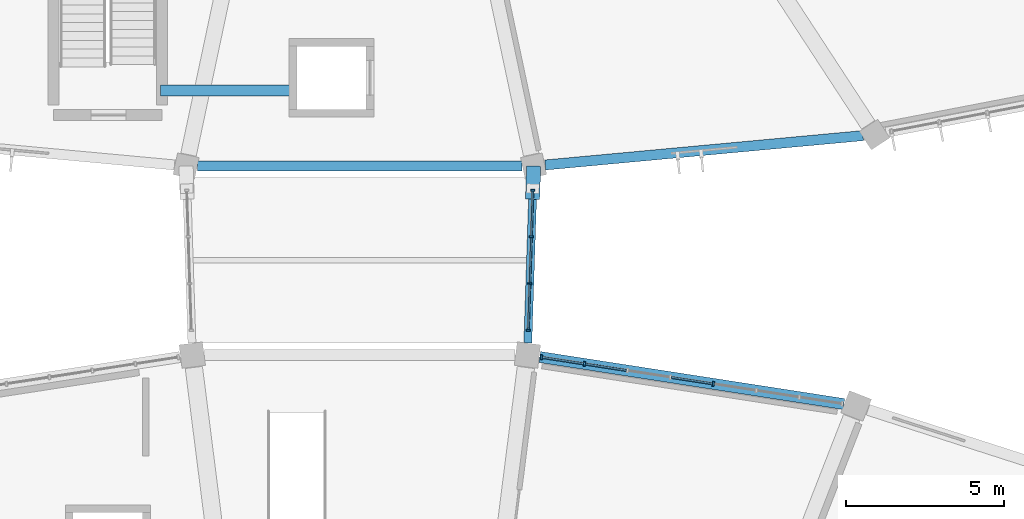
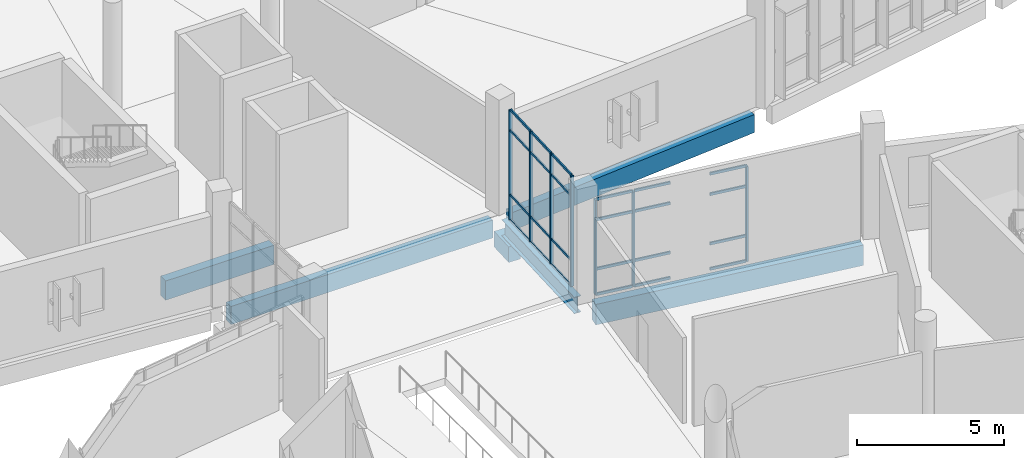
# One storey, part 31 of 179: 31 members, 6 beams, 2 elements without a shape of their own.
"""IFC4 building model written with IfcOpenShell, lengths in metres."""

import ifcopenshell
import ifcopenshell.guid

model = None  # the IFC model being written
_history = None  # IfcOwnerHistory: only IFC2X3 demands one
_inside = {}  # id of a spatial element -> (the spatial element, [elements in it])
_under = {}  # id of a project, library or spatial element -> (it, [spatial elements below it])
_declared = {}  # id of a project -> (the project, [libraries it declares])
_typed = {}  # id of a type object -> (the type object, [elements of that type])
_made_of = {}  # id of a material, layer set ... -> (it, [elements and type objects made of it])


def new_model(schema):
    """Start an empty IFC model of exactly this schema.

    Asked for "IFC4X3", IfcOpenShell would pick the latest addendum, in which some entities
    have other attributes; the version numbers below select the first issue.
    IFC2X3 requires an IfcOwnerHistory on every rooted entity: one is made here for all.
    """
    global model, _history
    if schema == "IFC4X3":
        model = ifcopenshell.file(schema_version=(4, 3, 0, 0))
    else:
        model = ifcopenshell.file(schema=schema)
    _inside.clear()
    _under.clear()
    _declared.clear()
    _typed.clear()
    _made_of.clear()
    _history = None
    if model.schema == "IFC2X3":
        org = make("IfcOrganization", Name="unknown")
        user = make(
            "IfcPersonAndOrganization",
            ThePerson=make("IfcPerson", FamilyName="unknown"),
            TheOrganization=org,
        )
        app = make(
            "IfcApplication",
            ApplicationDeveloper=org,
            Version="unknown",
            ApplicationFullName="unknown",
            ApplicationIdentifier="unknown",
        )
        _history = make(
            "IfcOwnerHistory",
            OwningUser=user,
            OwningApplication=app,
            ChangeAction="ADDED",
            CreationDate=0,
        )
    return model


def make(cls, **values):
    """One entity of the class cls with the attributes given. An attribute that is None is left unset."""
    return model.create_entity(
        cls, **{name: value for name, value in values.items() if value is not None}
    )


def rooted(cls, **values):
    """An entity with a GlobalId (a new one), such as an element, a storey or a relation."""
    return make(cls, GlobalId=ifcopenshell.guid.new(), OwnerHistory=_history, **values)


def si_unit(unit_type, name, prefix=None):
    """IfcSIUnit, for example si_unit("LENGTHUNIT", "METRE", prefix="MILLI")."""
    return make("IfcSIUnit", UnitType=unit_type, Prefix=prefix, Name=name)


def assignment(units):
    """IfcUnitAssignment: the units of a project."""
    return None if units is None else make("IfcUnitAssignment", Units=units)


def point(xyz):
    """IfcCartesianPoint."""
    return None if xyz is None else make("IfcCartesianPoint", Coordinates=xyz)


def direction(xyz):
    """IfcDirection."""
    return None if xyz is None else make("IfcDirection", DirectionRatios=xyz)


def frame(location, z_axis=None, x_axis=None):
    """IfcAxis2Placement3D, a coordinate frame: its origin and axes. An axis left out is left unset."""
    return make(
        "IfcAxis2Placement3D",
        Location=point(location),
        Axis=direction(z_axis),
        RefDirection=direction(x_axis),
    )


def frame_2d(location, x_axis=None):
    """IfcAxis2Placement2D, a coordinate frame in the plane: its origin and x axis."""
    return make(
        "IfcAxis2Placement2D", Location=point(location), RefDirection=direction(x_axis)
    )


def origin():
    """The frame at (0, 0, 0) with its axes left unset."""
    return frame((0.0, 0.0, 0.0))


def origin_2d():
    """The frame at (0, 0) in the plane with its x axis left unset."""
    return frame_2d((0.0, 0.0))


def place(relative_to, where):
    """IfcLocalPlacement: puts the frame where relative to a parent placement (None: the world)."""
    return make(
        "IfcLocalPlacement", PlacementRelTo=relative_to, RelativePlacement=where
    )


def context(
    kind, dimensions, precision=None, world=None, true_north=None, identifier=None
):
    """IfcGeometricRepresentationContext, for example the 3D "Model" context."""
    return make(
        "IfcGeometricRepresentationContext",
        ContextIdentifier=identifier,
        ContextType=kind,
        CoordinateSpaceDimension=dimensions,
        Precision=precision,
        WorldCoordinateSystem=world,
        TrueNorth=true_north,
    )


def subcontext(parent, identifier, kind, view, scale=None):
    """IfcGeometricRepresentationSubContext, for example "Body" below "Model"."""
    return make(
        "IfcGeometricRepresentationSubContext",
        ContextIdentifier=identifier,
        ContextType=kind,
        ParentContext=parent,
        TargetScale=scale,
        TargetView=view,
    )


def project(units=None, contexts=None):
    """IfcProject with its units and contexts."""
    return rooted(
        "IfcProject",
        Name="project",
        RepresentationContexts=contexts,
        UnitsInContext=assignment(units),
    )


def spatial(cls, under=None, at=None, **own):
    """A site, building, storey or space (cls), placed at a placement, below another one or the project."""
    s = rooted(cls, ObjectPlacement=at, **own)
    if under is not None:
        _under.setdefault(under.id(), (under, []))[1].append(s)
    return s


def profile(cls, at=None, kind="AREA", **sizes):
    """A parametric profile (cls). Its sizes go by their IFC names, for example OverallWidth=200.0."""
    return make(cls, ProfileType=kind, Position=at, **sizes)


def rectangle(**sizes):
    """IfcRectangleProfileDef."""
    return profile("IfcRectangleProfileDef", **sizes)


def i_section(**sizes):
    """IfcIShapeProfileDef."""
    return profile("IfcIShapeProfileDef", **sizes)


def extrude(swept, where, along, depth):
    """IfcExtrudedAreaSolid: the profile swept, set in the frame where, extruded along a direction by depth."""
    return make(
        "IfcExtrudedAreaSolid",
        SweptArea=swept,
        Position=where,
        ExtrudedDirection=direction(along),
        Depth=depth,
    )


def shape(context_of_items, identifier, shape_type, items):
    """IfcShapeRepresentation: the items that make up one representation, for example the "Body"."""
    return make(
        "IfcShapeRepresentation",
        ContextOfItems=context_of_items,
        RepresentationIdentifier=identifier,
        RepresentationType=shape_type,
        Items=items,
    )


def material(Name=None, Category=None):
    """IfcMaterial."""
    return make("IfcMaterial", Name=Name, Category=Category)


def layer(
    of_material, thickness, ventilated=None, Name=None, Category=None, Priority=None
):
    """IfcMaterialLayer: one layer of a wall or slab, of a material (None: an air gap)."""
    return make(
        "IfcMaterialLayer",
        Material=of_material,
        LayerThickness=thickness,
        IsVentilated=ventilated,
        Name=Name,
        Category=Category,
        Priority=Priority,
    )


def layer_set(layers, Name=None):
    """IfcMaterialLayerSet."""
    return make("IfcMaterialLayerSet", MaterialLayers=layers, LayerSetName=Name)


def material_profile(
    of_material, cross_section, Name=None, Category=None, Priority=None
):
    """IfcMaterialProfile: a cross section and its material."""
    return make(
        "IfcMaterialProfile",
        Name=Name,
        Material=of_material,
        Profile=cross_section,
        Priority=Priority,
        Category=Category,
    )


def profile_set(profiles, Name=None, composite=None):
    """IfcMaterialProfileSet."""
    return make(
        "IfcMaterialProfileSet",
        Name=Name,
        MaterialProfiles=profiles,
        CompositeProfile=composite,
    )


def made_of(thing, what):
    """Note that an element or type object is made of a material, layer set ...; save() writes the relation."""
    if what is not None:
        _made_of.setdefault(what.id(), (what, []))[1].append(thing)
    return thing


def type_object(cls, material=None, **own):
    """A type object (cls), such as IfcWallType, which elements share."""
    return made_of(rooted(cls, **own), material)


def element(
    cls,
    number,
    at=None,
    inside=None,
    cuts=None,
    type_object=None,
    material=None,
    context=None,
    identifier="Body",
    shape_type=None,
    held_by="IfcProductDefinitionShape",
    body=None,
    shapes=None,
    **own,
):
    """One element of the class cls, such as IfcWall. Its Tag is "e" and its number.

    at: its placement. inside: the storey or other place that contains it. cuts: it is an
    opening in that element (IfcRelVoidsElement). A single representation is given by context,
    identifier, shape_type and body (its items); several are given by shapes. held_by: the class
    of the entity that holds the representations. save() writes the other relations.
    """
    e = rooted(cls, Tag="e%d" % number, ObjectPlacement=at, **own)
    if body is not None:
        shapes = [shape(context, identifier, shape_type, body)]
    if shapes is not None:
        e.Representation = make(held_by, Representations=shapes)
    if inside is not None:
        _inside.setdefault(inside.id(), (inside, []))[1].append(e)
    if cuts is not None:
        rooted(
            "IfcRelVoidsElement", RelatingBuildingElement=cuts, RelatedOpeningElement=e
        )
    if type_object is not None:
        _typed.setdefault(type_object.id(), (type_object, []))[1].append(e)
    return made_of(e, material)


def aggregate(whole, parts):
    """IfcRelAggregates: a whole, such as a stair, and the parts it consists of."""
    return rooted("IfcRelAggregates", RelatingObject=whole, RelatedObjects=parts)


def save(model, path):
    """Write the relations noted so far, then the file.

    IfcRelAggregates (storeys below a building ...), IfcRelContainedInSpatialStructure (elements
    in a storey), IfcRelDefinesByType, IfcRelAssociatesMaterial and IfcRelDeclares: one each for
    every whole, place, type object, material and project.
    """
    for whole, parts in _under.values():
        aggregate(whole, parts)
    for where, things in _inside.values():
        rooted(
            "IfcRelContainedInSpatialStructure",
            RelatedElements=things,
            RelatingStructure=where,
        )
    for kind, things in _typed.values():
        rooted("IfcRelDefinesByType", RelatedObjects=things, RelatingType=kind)
    for what, things in _made_of.values():
        rooted("IfcRelAssociatesMaterial", RelatedObjects=things, RelatingMaterial=what)
    for by, libraries in _declared.values():
        rooted("IfcRelDeclares", RelatingContext=by, RelatedDefinitions=libraries)
    model.write(path)


model = new_model("IFC4")

# Units and contexts
model_context = context("Model", 3, precision=1e-05, world=origin(), true_north=direction((0.0, 1.0)))
body_context = subcontext(model_context, "Body", "Model", "MODEL_VIEW")
ifc_project = project(units=[si_unit("LENGTHUNIT", "METRE"), si_unit("AREAUNIT", "SQUARE_METRE"), si_unit("VOLUMEUNIT", "CUBIC_METRE"), si_unit("PLANEANGLEUNIT", "RADIAN"), si_unit("MASSUNIT", "GRAM", prefix="KILO")], contexts=[model_context])

# Site, building, storey
site_placement = place(None, origin())
site = spatial("IfcSite", under=ifc_project, at=site_placement, CompositionType="ELEMENT")
building_placement = place(site_placement, origin())
building = spatial("IfcBuilding", under=site, at=building_placement, Name="Corvandel Quay Wholesale Market", CompositionType="ELEMENT")
storey_placement = place(building_placement, frame((0.0, 0.0, 6.0)))
storey = spatial("IfcBuildingStorey", under=building, at=storey_placement, Name="L01", CompositionType="ELEMENT", Elevation=6.0)

# Beam
ifc_material_1 = material(Name="Steel A992 Grade 50", Category="steel")
ifc_material_profile_1 = material_profile(ifc_material_1, i_section(OverallWidth=0.25390625, OverallDepth=0.68310546875, WebThickness=0.012451171875, FlangeThickness=0.018798828125, at=origin_2d()), Name="W27X94")
ifc_profile_set_1 = profile_set([ifc_material_profile_1], Name="Steel A992 Grade 50")
beam_type_1 = type_object("IfcBeamType", Name="Bridge Link Steel Girder SG01 W27X94", PredefinedType="USERDEFINED", material=ifc_profile_set_1)
beam_1_placement = place(storey_placement, frame((119.331787109375, 84.389892578125, -0.5615234375), z_axis=(0.032795939413, 0.999462068494, 0.0), x_axis=(-0.999462068494, 0.032795939413, 0.0)))
element("IfcBeam", 1, at=beam_1_placement, inside=storey, type_object=beam_type_1, Name="Beam BM-1764", ObjectType="GIRDER", PredefinedType="USERDEFINED", context=body_context, shape_type="SweptSolid", body=[
    extrude(i_section(OverallWidth=0.25390625, OverallDepth=0.68310546875, WebThickness=0.012451171875, FlangeThickness=0.018798828125, at=origin_2d()), origin(), (0.0, 0.0, 1.0), 5.248291015625),
])

# Curtain wall, members
ifc_material_2 = material(Name="Bronze anodised aluminium and low-E insulated glazing", Category="aluminium")
ifc_layer_1 = layer(ifc_material_2, 0.174072265625)
ifc_layer_set_1 = layer_set([ifc_layer_1], Name="Bronze anodised aluminium and low-E insulated glazing")
curtain_wall_type_1 = type_object("IfcCurtainWallType", Name="Stick Curtain Wall System CW22 H4980", PredefinedType="NOTDEFINED", material=ifc_layer_set_1)
curtain_wall_1_placement = place(storey_placement, origin())
curtain_wall_1 = element("IfcCurtainWall", 2, at=curtain_wall_1_placement, inside=storey, type_object=curtain_wall_type_1, Name="Curtain Wall CW-0169", PredefinedType="NOTDEFINED")
ifc_material_3 = material(Name="Anodised aluminium 6063-T6", Category="aluminium")
ifc_material_profile_2 = material_profile(ifc_material_3, rectangle(XDim=0.06005859375, YDim=0.1298828125, at=origin_2d()), Name="ALU-MUL-60x130")
ifc_profile_set_2 = profile_set([ifc_material_profile_2], Name="Anodised aluminium 6063-T6")
member_type_1 = type_object("IfcMemberType", Name="Clerestory Mullion ML03 60x130", PredefinedType="MULLION", material=ifc_profile_set_2)
member_1_placement = place(storey_placement, frame((119.344970703125, 84.78955078125, -0.030029296875), z_axis=(0.0, 0.0, 1.0), x_axis=(0.032806302436, 0.999461728392, 0.0)))
member_1 = element("IfcMember", 3, at=member_1_placement, type_object=member_type_1, Name="Mullion CW-0169-M00", PredefinedType="MULLION", context=body_context, shape_type="SweptSolid", body=[
    extrude(rectangle(XDim=0.06005859375, YDim=0.1298828125, at=origin_2d()), origin(), (0.0, 0.0, 1.0), 4.580078125),
])
member_2_placement = place(storey_placement, frame((119.3935546875, 86.271484375, -0.030029296875), z_axis=(0.0, 0.0, 1.0), x_axis=(0.032806302436, 0.999461728392, 0.0)))
member_2 = element("IfcMember", 4, at=member_2_placement, type_object=member_type_1, Name="Mullion CW-0169-M01", PredefinedType="MULLION", context=body_context, shape_type="SweptSolid", body=[
    extrude(rectangle(XDim=0.06005859375, YDim=0.1298828125, at=origin_2d()), origin(), (0.0, 0.0, 1.0), 4.580078125),
])
member_3_placement = place(storey_placement, frame((119.442138671875, 87.75341796875, -0.030029296875), z_axis=(0.0, 0.0, 1.0), x_axis=(0.032806302436, 0.999461728392, 0.0)))
member_3 = element("IfcMember", 5, at=member_3_placement, type_object=member_type_1, Name="Mullion CW-0169-M02", PredefinedType="MULLION", context=body_context, shape_type="SweptSolid", body=[
    extrude(rectangle(XDim=0.06005859375, YDim=0.1298828125, at=origin_2d()), origin(), (0.0, 0.0, 1.0), 4.580078125),
])
member_4_placement = place(storey_placement, frame((119.490966796875, 89.2353515625, -0.030029296875), z_axis=(0.0, 0.0, 1.0), x_axis=(0.032806302436, 0.999461728392, 0.0)))
member_4 = element("IfcMember", 6, at=member_4_placement, type_object=member_type_1, Name="Mullion CW-0169-M03", PredefinedType="MULLION", context=body_context, shape_type="SweptSolid", body=[
    extrude(rectangle(XDim=0.06005859375, YDim=0.1298828125, at=origin_2d()), origin(), (0.0, 0.0, 1.0), 4.580078125),
])
ifc_material_profile_3 = material_profile(ifc_material_3, rectangle(XDim=0.054931640625, YDim=0.094970703125, at=origin_2d()), Name="ALU-TRN-55x95")
ifc_profile_set_3 = profile_set([ifc_material_profile_3], Name="Anodised aluminium 6063-T6")
member_type_2 = type_object("IfcMemberType", Name="Clerestory Transom TR03 55x95", PredefinedType="USERDEFINED", material=ifc_profile_set_3)
member_5_placement = place(storey_placement, frame((119.345947265625, 84.819580078125, -0.030029296875), z_axis=(0.032777707644, 0.999462666577, 0.0), x_axis=(-0.999462666577, 0.032777707644, 0.0)))
member_5 = element("IfcMember", 7, at=member_5_placement, type_object=member_type_2, Name="Transom CW-0169-T00-0", ObjectType="TRANSOM", PredefinedType="USERDEFINED", context=body_context, shape_type="SweptSolid", body=[
    extrude(rectangle(XDim=0.054931640625, YDim=0.094970703125, at=origin_2d()), origin(), (0.0, 0.0, 1.0), 1.422607421875),
])
member_6_placement = place(storey_placement, frame((119.345947265625, 84.819580078125, 1.02001953125), z_axis=(0.032777707644, 0.999462666577, 0.0), x_axis=(-0.999462666577, 0.032777707644, 0.0)))
member_6 = element("IfcMember", 8, at=member_6_placement, type_object=member_type_2, Name="Transom CW-0169-T00-1", ObjectType="TRANSOM", PredefinedType="USERDEFINED", context=body_context, shape_type="SweptSolid", body=[
    extrude(rectangle(XDim=0.054931640625, YDim=0.094970703125, at=origin_2d()), origin(), (0.0, 0.0, 1.0), 1.422607421875),
])
member_7_placement = place(storey_placement, frame((119.345947265625, 84.819580078125, 3.699951171875), z_axis=(0.032777707644, 0.999462666577, 0.0), x_axis=(-0.999462666577, 0.032777707644, 0.0)))
member_7 = element("IfcMember", 9, at=member_7_placement, type_object=member_type_2, Name="Transom CW-0169-T00-2", ObjectType="TRANSOM", PredefinedType="USERDEFINED", context=body_context, shape_type="SweptSolid", body=[
    extrude(rectangle(XDim=0.054931640625, YDim=0.094970703125, at=origin_2d()), origin(), (0.0, 0.0, 1.0), 1.422607421875),
])
member_8_placement = place(storey_placement, frame((119.345947265625, 84.819580078125, 4.550048828125), z_axis=(0.032777707644, 0.999462666577, 0.0), x_axis=(-0.999462666577, 0.032777707644, 0.0)))
member_8 = element("IfcMember", 10, at=member_8_placement, type_object=member_type_2, Name="Transom CW-0169-T00-3", ObjectType="TRANSOM", PredefinedType="USERDEFINED", context=body_context, shape_type="SweptSolid", body=[
    extrude(rectangle(XDim=0.054931640625, YDim=0.094970703125, at=origin_2d()), origin(), (0.0, 0.0, 1.0), 1.422607421875),
])
member_9_placement = place(storey_placement, frame((119.39453125, 86.301513671875, -0.030029296875), z_axis=(0.032777707644, 0.999462666577, 0.0), x_axis=(-0.999462666577, 0.032777707644, 0.0)))
member_9 = element("IfcMember", 11, at=member_9_placement, type_object=member_type_2, Name="Transom CW-0169-T01-0", ObjectType="TRANSOM", PredefinedType="USERDEFINED", context=body_context, shape_type="SweptSolid", body=[
    extrude(rectangle(XDim=0.054931640625, YDim=0.094970703125, at=origin_2d()), origin(), (0.0, 0.0, 1.0), 1.422607421875),
])
member_10_placement = place(storey_placement, frame((119.39453125, 86.301513671875, 1.02001953125), z_axis=(0.032777707644, 0.999462666577, 0.0), x_axis=(-0.999462666577, 0.032777707644, 0.0)))
member_10 = element("IfcMember", 12, at=member_10_placement, type_object=member_type_2, Name="Transom CW-0169-T01-1", ObjectType="TRANSOM", PredefinedType="USERDEFINED", context=body_context, shape_type="SweptSolid", body=[
    extrude(rectangle(XDim=0.054931640625, YDim=0.094970703125, at=origin_2d()), origin(), (0.0, 0.0, 1.0), 1.422607421875),
])
member_11_placement = place(storey_placement, frame((119.39453125, 86.301513671875, 3.699951171875), z_axis=(0.032777707644, 0.999462666577, 0.0), x_axis=(-0.999462666577, 0.032777707644, 0.0)))
member_11 = element("IfcMember", 13, at=member_11_placement, type_object=member_type_2, Name="Transom CW-0169-T01-2", ObjectType="TRANSOM", PredefinedType="USERDEFINED", context=body_context, shape_type="SweptSolid", body=[
    extrude(rectangle(XDim=0.054931640625, YDim=0.094970703125, at=origin_2d()), origin(), (0.0, 0.0, 1.0), 1.422607421875),
])
member_12_placement = place(storey_placement, frame((119.39453125, 86.301513671875, 4.550048828125), z_axis=(0.032777707644, 0.999462666577, 0.0), x_axis=(-0.999462666577, 0.032777707644, 0.0)))
member_12 = element("IfcMember", 14, at=member_12_placement, type_object=member_type_2, Name="Transom CW-0169-T01-3", ObjectType="TRANSOM", PredefinedType="USERDEFINED", context=body_context, shape_type="SweptSolid", body=[
    extrude(rectangle(XDim=0.054931640625, YDim=0.094970703125, at=origin_2d()), origin(), (0.0, 0.0, 1.0), 1.422607421875),
])
member_13_placement = place(storey_placement, frame((119.443115234375, 87.783447265625, -0.030029296875), z_axis=(0.032949132854, 0.999457029914, 0.0), x_axis=(-0.999457029914, 0.032949132854, 0.0)))
member_13 = element("IfcMember", 15, at=member_13_placement, type_object=member_type_2, Name="Transom CW-0169-T02-0", ObjectType="TRANSOM", PredefinedType="USERDEFINED", context=body_context, shape_type="SweptSolid", body=[
    extrude(rectangle(XDim=0.054931640625, YDim=0.094970703125, at=origin_2d()), origin(), (0.0, 0.0, 1.0), 1.422607421875),
])
member_14_placement = place(storey_placement, frame((119.443115234375, 87.783447265625, 1.02001953125), z_axis=(0.032949132854, 0.999457029914, 0.0), x_axis=(-0.999457029914, 0.032949132854, 0.0)))
member_14 = element("IfcMember", 16, at=member_14_placement, type_object=member_type_2, Name="Transom CW-0169-T02-1", ObjectType="TRANSOM", PredefinedType="USERDEFINED", context=body_context, shape_type="SweptSolid", body=[
    extrude(rectangle(XDim=0.054931640625, YDim=0.094970703125, at=origin_2d()), origin(), (0.0, 0.0, 1.0), 1.422607421875),
])
member_15_placement = place(storey_placement, frame((119.443115234375, 87.783447265625, 3.699951171875), z_axis=(0.032949132854, 0.999457029914, 0.0), x_axis=(-0.999457029914, 0.032949132854, 0.0)))
member_15 = element("IfcMember", 17, at=member_15_placement, type_object=member_type_2, Name="Transom CW-0169-T02-2", ObjectType="TRANSOM", PredefinedType="USERDEFINED", context=body_context, shape_type="SweptSolid", body=[
    extrude(rectangle(XDim=0.054931640625, YDim=0.094970703125, at=origin_2d()), origin(), (0.0, 0.0, 1.0), 1.422607421875),
])
member_16_placement = place(storey_placement, frame((119.443115234375, 87.783447265625, 4.550048828125), z_axis=(0.032949132854, 0.999457029914, 0.0), x_axis=(-0.999457029914, 0.032949132854, 0.0)))
member_16 = element("IfcMember", 18, at=member_16_placement, type_object=member_type_2, Name="Transom CW-0169-T02-3", ObjectType="TRANSOM", PredefinedType="USERDEFINED", context=body_context, shape_type="SweptSolid", body=[
    extrude(rectangle(XDim=0.054931640625, YDim=0.094970703125, at=origin_2d()), origin(), (0.0, 0.0, 1.0), 1.422607421875),
])
aggregate(curtain_wall_1, [member_1, member_2, member_3, member_4, member_5, member_6, member_7, member_8, member_9, member_10, member_11, member_12, member_13, member_14, member_15, member_16])

# Beam
ifc_material_4 = material(Name="Concrete C40/50", Category="concrete")
ifc_material_profile_4 = material_profile(ifc_material_4, rectangle(XDim=0.35009765625, YDim=0.800048828125, at=origin_2d()), Name="RC-CPL-350x800")
ifc_profile_set_4 = profile_set([ifc_material_profile_4], Name="Concrete C40/50")
beam_type_2 = type_object("IfcBeamType", Name="Core Shear Wall Coupling Beam CP01 350x800", PredefinedType="BEAM", material=ifc_profile_set_4)
beam_2_placement = place(storey_placement, frame((107.675048828125, 92.39990234375, -0.64990234375), z_axis=(1.0, 0.0, 0.0), x_axis=(0.0, 1.0, 0.0)))
element("IfcBeam", 19, at=beam_2_placement, inside=storey, type_object=beam_type_2, Name="Core Coupling Beam K2-L01", PredefinedType="BEAM", context=body_context, shape_type="SweptSolid", body=[
    extrude(rectangle(XDim=0.35009765625, YDim=0.800048828125, at=origin_2d()), origin(), (0.0, 0.0, 1.0), 4.25),
])

# Curtain wall, members
ifc_layer_2 = layer(ifc_material_2, 0.162109375)
ifc_layer_set_2 = layer_set([ifc_layer_2], Name="Bronze anodised aluminium and low-E insulated glazing")
curtain_wall_type_2 = type_object("IfcCurtainWallType", Name="Stick Curtain Wall System CW11 H3990", PredefinedType="NOTDEFINED", material=ifc_layer_set_2)
curtain_wall_2_placement = place(storey_placement, origin())
curtain_wall_2 = element("IfcCurtainWall", 20, at=curtain_wall_2_placement, inside=storey, type_object=curtain_wall_type_2, Name="Curtain Wall CW-0018", PredefinedType="NOTDEFINED")
ifc_material_profile_5 = material_profile(ifc_material_3, rectangle(XDim=0.06494140625, YDim=0.14990234375, at=origin_2d()), Name="ALU-MUL-65x150")
ifc_profile_set_5 = profile_set([ifc_material_profile_5], Name="Anodised aluminium 6063-T6")
member_type_3 = type_object("IfcMemberType", Name="Curtain Wall Mullion ML02 65x150", PredefinedType="MULLION", material=ifc_profile_set_5)
member_17_placement = place(storey_placement, frame((125.216552734375, 83.08740234375, 0.0), z_axis=(0.0, 0.0, 1.0), x_axis=(-0.98825506746, 0.152813355565, 0.0)))
member_17 = element("IfcMember", 21, at=member_17_placement, type_object=member_type_3, Name="Mullion CW-0018-M03", PredefinedType="MULLION", context=body_context, shape_type="SweptSolid", body=[
    extrude(rectangle(XDim=0.06494140625, YDim=0.14990234375, at=origin_2d()), origin(), (0.0, 0.0, 1.0), 3.949951171875),
])
member_18_placement = place(storey_placement, frame((121.126953125, 83.72021484375, 0.0), z_axis=(0.0, 0.0, 1.0), x_axis=(-0.98825506746, 0.152813355565, 0.0)))
member_18 = element("IfcMember", 22, at=member_18_placement, type_object=member_type_3, Name="Mullion CW-0018-M06", PredefinedType="MULLION", context=body_context, shape_type="SweptSolid", body=[
    extrude(rectangle(XDim=0.06494140625, YDim=0.14990234375, at=origin_2d()), origin(), (0.0, 0.0, 1.0), 3.949951171875),
])
member_19_placement = place(storey_placement, frame((119.763671875, 83.93115234375, 0.0), z_axis=(0.0, 0.0, 1.0), x_axis=(-0.98825506746, 0.152813355565, 0.0)))
member_19 = element("IfcMember", 23, at=member_19_placement, type_object=member_type_3, Name="Mullion CW-0018-M07", PredefinedType="MULLION", context=body_context, shape_type="SweptSolid", body=[
    extrude(rectangle(XDim=0.06494140625, YDim=0.14990234375, at=origin_2d()), origin(), (0.0, 0.0, 1.0), 3.949951171875),
])
ifc_material_profile_6 = material_profile(ifc_material_3, rectangle(XDim=0.06005859375, YDim=0.110107421875, at=origin_2d()), Name="ALU-TRN-60x110")
ifc_profile_set_6 = profile_set([ifc_material_profile_6], Name="Anodised aluminium 6063-T6")
member_type_4 = type_object("IfcMemberType", Name="Curtain Wall Transom TR02 60x110", PredefinedType="USERDEFINED", material=ifc_profile_set_6)
member_20_placement = place(storey_placement, frame((125.1845703125, 83.092529296875, 0.0), z_axis=(-0.988248991474, 0.152852644237, 0.0), x_axis=(-0.152852644237, -0.988248991474, 0.0)))
member_20 = element("IfcMember", 24, at=member_20_placement, type_object=member_type_4, Name="Transom CW-0018-T03-0", ObjectType="TRANSOM", PredefinedType="USERDEFINED", context=body_context, shape_type="SweptSolid", body=[
    extrude(rectangle(XDim=0.06005859375, YDim=0.110107421875, at=origin_2d()), origin(), (0.0, 0.0, 1.0), 1.314453125),
])
member_21_placement = place(storey_placement, frame((125.1845703125, 83.092529296875, 1.050048828125), z_axis=(-0.988248991474, 0.152852644237, 0.0), x_axis=(-0.152852644237, -0.988248991474, 0.0)))
member_21 = element("IfcMember", 25, at=member_21_placement, type_object=member_type_4, Name="Transom CW-0018-T03-1", ObjectType="TRANSOM", PredefinedType="USERDEFINED", context=body_context, shape_type="SweptSolid", body=[
    extrude(rectangle(XDim=0.06005859375, YDim=0.110107421875, at=origin_2d()), origin(), (0.0, 0.0, 1.0), 1.314453125),
])
member_22_placement = place(storey_placement, frame((125.1845703125, 83.092529296875, 3.10009765625), z_axis=(-0.988248991474, 0.152852644237, 0.0), x_axis=(-0.152852644237, -0.988248991474, 0.0)))
member_22 = element("IfcMember", 26, at=member_22_placement, type_object=member_type_4, Name="Transom CW-0018-T03-2", ObjectType="TRANSOM", PredefinedType="USERDEFINED", context=body_context, shape_type="SweptSolid", body=[
    extrude(rectangle(XDim=0.06005859375, YDim=0.110107421875, at=origin_2d()), origin(), (0.0, 0.0, 1.0), 1.314453125),
])
member_23_placement = place(storey_placement, frame((125.1845703125, 83.092529296875, 3.949951171875), z_axis=(-0.988248991474, 0.152852644237, 0.0), x_axis=(-0.152852644237, -0.988248991474, 0.0)))
member_23 = element("IfcMember", 27, at=member_23_placement, type_object=member_type_4, Name="Transom CW-0018-T03-3", ObjectType="TRANSOM", PredefinedType="USERDEFINED", context=body_context, shape_type="SweptSolid", body=[
    extrude(rectangle(XDim=0.06005859375, YDim=0.110107421875, at=origin_2d()), origin(), (0.0, 0.0, 1.0), 1.314453125),
])
member_24_placement = place(storey_placement, frame((122.4580078125, 83.514404296875, 0.0), z_axis=(-0.988248991474, 0.152852644237, 0.0), x_axis=(-0.152852644237, -0.988248991474, 0.0)))
member_24 = element("IfcMember", 28, at=member_24_placement, type_object=member_type_4, Name="Transom CW-0018-T05-0", ObjectType="TRANSOM", PredefinedType="USERDEFINED", context=body_context, shape_type="SweptSolid", body=[
    extrude(rectangle(XDim=0.06005859375, YDim=0.110107421875, at=origin_2d()), origin(), (0.0, 0.0, 1.0), 1.314453125),
])
member_25_placement = place(storey_placement, frame((122.4580078125, 83.514404296875, 1.050048828125), z_axis=(-0.988248991474, 0.152852644237, 0.0), x_axis=(-0.152852644237, -0.988248991474, 0.0)))
member_25 = element("IfcMember", 29, at=member_25_placement, type_object=member_type_4, Name="Transom CW-0018-T05-1", ObjectType="TRANSOM", PredefinedType="USERDEFINED", context=body_context, shape_type="SweptSolid", body=[
    extrude(rectangle(XDim=0.06005859375, YDim=0.110107421875, at=origin_2d()), origin(), (0.0, 0.0, 1.0), 1.314453125),
])
member_26_placement = place(storey_placement, frame((122.4580078125, 83.514404296875, 3.10009765625), z_axis=(-0.988248991474, 0.152852644237, 0.0), x_axis=(-0.152852644237, -0.988248991474, 0.0)))
member_26 = element("IfcMember", 30, at=member_26_placement, type_object=member_type_4, Name="Transom CW-0018-T05-2", ObjectType="TRANSOM", PredefinedType="USERDEFINED", context=body_context, shape_type="SweptSolid", body=[
    extrude(rectangle(XDim=0.06005859375, YDim=0.110107421875, at=origin_2d()), origin(), (0.0, 0.0, 1.0), 1.314453125),
])
member_27_placement = place(storey_placement, frame((122.4580078125, 83.514404296875, 3.949951171875), z_axis=(-0.988248991474, 0.152852644237, 0.0), x_axis=(-0.152852644237, -0.988248991474, 0.0)))
member_27 = element("IfcMember", 31, at=member_27_placement, type_object=member_type_4, Name="Transom CW-0018-T05-3", ObjectType="TRANSOM", PredefinedType="USERDEFINED", context=body_context, shape_type="SweptSolid", body=[
    extrude(rectangle(XDim=0.06005859375, YDim=0.110107421875, at=origin_2d()), origin(), (0.0, 0.0, 1.0), 1.314453125),
])
member_28_placement = place(storey_placement, frame((121.0947265625, 83.725341796875, 0.0), z_axis=(-0.988244650986, 0.152880704466, 0.0), x_axis=(-0.152880704466, -0.988244650986, 0.0)))
member_28 = element("IfcMember", 32, at=member_28_placement, type_object=member_type_4, Name="Transom CW-0018-T06-0", ObjectType="TRANSOM", PredefinedType="USERDEFINED", context=body_context, shape_type="SweptSolid", body=[
    extrude(rectangle(XDim=0.06005859375, YDim=0.110107421875, at=origin_2d()), origin(), (0.0, 0.0, 1.0), 1.314208984375),
])
member_29_placement = place(storey_placement, frame((121.0947265625, 83.725341796875, 1.050048828125), z_axis=(-0.988244650986, 0.152880704466, 0.0), x_axis=(-0.152880704466, -0.988244650986, 0.0)))
member_29 = element("IfcMember", 33, at=member_29_placement, type_object=member_type_4, Name="Transom CW-0018-T06-1", ObjectType="TRANSOM", PredefinedType="USERDEFINED", context=body_context, shape_type="SweptSolid", body=[
    extrude(rectangle(XDim=0.06005859375, YDim=0.110107421875, at=origin_2d()), origin(), (0.0, 0.0, 1.0), 1.314208984375),
])
member_30_placement = place(storey_placement, frame((121.0947265625, 83.725341796875, 3.10009765625), z_axis=(-0.988244650986, 0.152880704466, 0.0), x_axis=(-0.152880704466, -0.988244650986, 0.0)))
member_30 = element("IfcMember", 34, at=member_30_placement, type_object=member_type_4, Name="Transom CW-0018-T06-2", ObjectType="TRANSOM", PredefinedType="USERDEFINED", context=body_context, shape_type="SweptSolid", body=[
    extrude(rectangle(XDim=0.06005859375, YDim=0.110107421875, at=origin_2d()), origin(), (0.0, 0.0, 1.0), 1.314208984375),
])
member_31_placement = place(storey_placement, frame((121.0947265625, 83.725341796875, 3.949951171875), z_axis=(-0.988244650986, 0.152880704466, 0.0), x_axis=(-0.152880704466, -0.988244650986, 0.0)))
member_31 = element("IfcMember", 35, at=member_31_placement, type_object=member_type_4, Name="Transom CW-0018-T06-3", ObjectType="TRANSOM", PredefinedType="USERDEFINED", context=body_context, shape_type="SweptSolid", body=[
    extrude(rectangle(XDim=0.06005859375, YDim=0.110107421875, at=origin_2d()), origin(), (0.0, 0.0, 1.0), 1.314208984375),
])
aggregate(curtain_wall_2, [member_17, member_18, member_19, member_20, member_21, member_22, member_23, member_24, member_25, member_26, member_27, member_28, member_29, member_30, member_31])

# Beams
ifc_material_5 = material(Name="Precast concrete C45/55", Category="concrete")
ifc_material_profile_7 = material_profile(ifc_material_5, rectangle(XDim=0.320068359375, YDim=0.75, at=origin_2d()), Name="PC-SPN-320x750")
ifc_profile_set_7 = profile_set([ifc_material_profile_7], Name="Precast concrete C45/55")
beam_type_3 = type_object("IfcBeamType", Name="Pavilion Precast Spandrel SP02 320x750", PredefinedType="SPANDREL", material=ifc_profile_set_7)
beam_3_placement = place(storey_placement, frame((108.85400390625, 90.0, -0.655029296875), z_axis=(1.0, 0.0, 0.0), x_axis=(0.0, 1.0, 0.0)))
element("IfcBeam", 36, at=beam_3_placement, inside=storey, type_object=beam_type_3, Name="Beam BM-0686", PredefinedType="SPANDREL", context=body_context, shape_type="SweptSolid", body=[
    extrude(rectangle(XDim=0.320068359375, YDim=0.75, at=origin_2d()), origin(), (0.0, 0.0, 1.0), 10.2919921875),
])
beam_4_placement = place(storey_placement, frame((119.884521484375, 90.033935546875, -0.655029296875), z_axis=(0.995762128, 0.091966213585, 0.0), x_axis=(-0.091966213585, 0.995762128, 0.0)))
element("IfcBeam", 37, at=beam_4_placement, inside=storey, type_object=beam_type_3, Name="Beam BM-0695", PredefinedType="SPANDREL", context=body_context, shape_type="SweptSolid", body=[
    extrude(rectangle(XDim=0.320068359375, YDim=0.75, at=origin_2d()), origin(), (0.0, 0.0, 1.0), 10.125),
])
ifc_material_profile_8 = material_profile(ifc_material_5, rectangle(XDim=0.35009765625, YDim=0.85009765625, at=origin_2d()), Name="PC-SPN-350x850")
ifc_profile_set_8 = profile_set([ifc_material_profile_8], Name="Precast concrete C45/55")
beam_type_4 = type_object("IfcBeamType", Name="Perimeter Precast Spandrel SP01 350x850", PredefinedType="SPANDREL", material=ifc_profile_set_8)
beam_5_placement = place(storey_placement, frame((129.360595703125, 82.4462890625, -0.72509765625), z_axis=(-0.988238667456, 0.152919377927, 0.0), x_axis=(-0.152919377927, -0.988238667456, 0.0)))
element("IfcBeam", 38, at=beam_5_placement, inside=storey, type_object=beam_type_4, Name="Beam BM-0078", PredefinedType="SPANDREL", context=body_context, shape_type="SweptSolid", body=[
    extrude(rectangle(XDim=0.35009765625, YDim=0.85009765625, at=origin_2d()), origin(), (0.0, 0.0, 1.0), 9.765869140625),
])
ifc_material_profile_9 = material_profile(ifc_material_5, rectangle(XDim=0.449951171875, YDim=0.64990234375, at=origin_2d()), Name="PC-COR-680x650")
ifc_profile_set_9 = profile_set([ifc_material_profile_9], Name="Precast concrete C45/55")
beam_type_5 = type_object("IfcBeamType", Name="Seismic Joint Precast Corbel CB01 680x650", PredefinedType="BEAM", material=ifc_profile_set_9)
beam_6_placement = place(storey_placement, frame((119.51611328125, 90.0, -1.22802734375), z_axis=(-0.03286022549, -0.999459956967, 0.0), x_axis=(0.999459956967, -0.03286022549, 0.0)))
element("IfcBeam", 39, at=beam_6_placement, inside=storey, type_object=beam_type_5, Name="Beam BM-1763", PredefinedType="BEAM", context=body_context, shape_type="SweptSolid", body=[
    extrude(rectangle(XDim=0.449951171875, YDim=0.64990234375, at=origin_2d()), origin(), (0.0, 0.0, 1.0), 1.054931640625),
])

save(model, "model.ifc")
